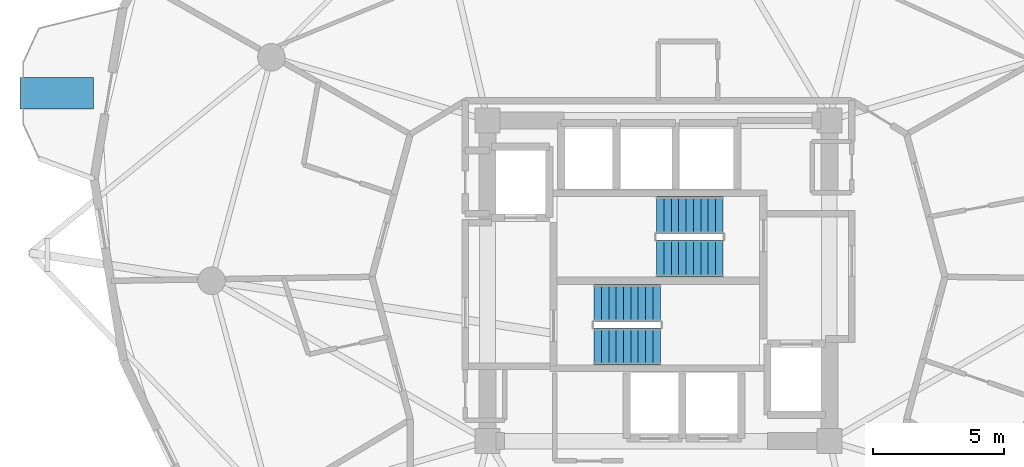
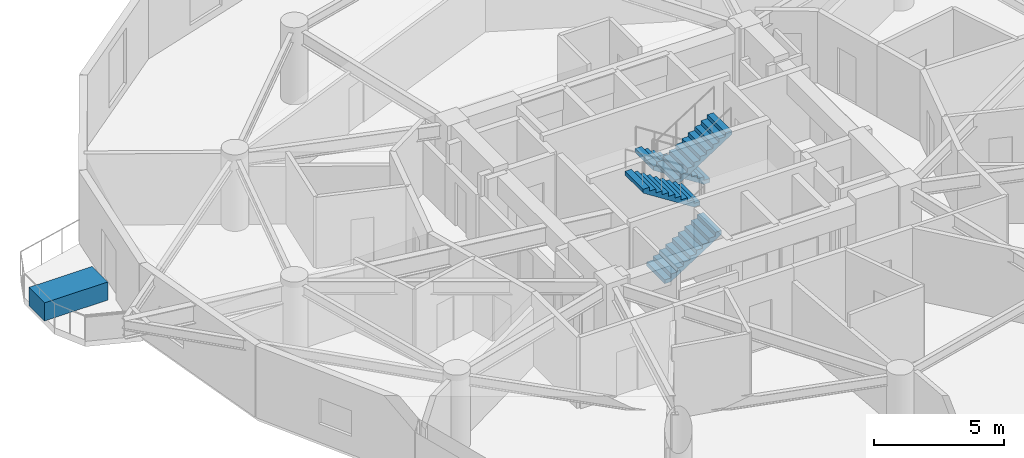
# One storey, part 18 of 20: 4 stair flights, 1 discrete accessory, 2 elements without a shape of their own.
"""IFC4 building model written with IfcOpenShell, lengths in metres."""

from ifc_helpers import new_model, si_unit, direction, frame, origin, origin_2d, place, context, subcontext, project, spatial, polyline, rectangle, outline, extrude, material, type_object, element, aggregate, save


model = new_model("IFC4")

# Units and contexts
model_context = context("Model", 3, precision=1e-05, world=origin(), true_north=direction((0.0, 1.0)))
body_context = subcontext(model_context, "Body", "Model", "MODEL_VIEW")
ifc_project = project(units=[si_unit("LENGTHUNIT", "METRE"), si_unit("AREAUNIT", "SQUARE_METRE"), si_unit("VOLUMEUNIT", "CUBIC_METRE"), si_unit("PLANEANGLEUNIT", "RADIAN"), si_unit("MASSUNIT", "GRAM", prefix="KILO")], contexts=[model_context])

# Site, building, storey
site_placement = place(None, origin())
site = spatial("IfcSite", under=ifc_project, at=site_placement, CompositionType="ELEMENT")
building_placement = place(site_placement, origin())
building = spatial("IfcBuilding", under=site, at=building_placement, Name="Solvirekh Grand Hotel", CompositionType="ELEMENT")
storey_placement = place(building_placement, frame((0.0, 0.0, 135.0)))
storey = spatial("IfcBuildingStorey", under=building, at=storey_placement, Name="L34", CompositionType="ELEMENT", Elevation=135.0)

# Stair, stair flights
ifc_material_1 = material(Name="Concrete C40/50", Category="concrete")
stair_type = type_object("IfcStairType", Name="Stair_Core_1450", PredefinedType="HALF_TURN_STAIR", material=ifc_material_1)
stair_1_placement = place(storey_placement, origin())
stair_1 = element("IfcStair", 1, at=stair_1_placement, inside=storey, type_object=stair_type, Name="L34 Enclosed exit stair ST-1", PredefinedType="HALF_TURN_STAIR")
stair_flight_type = type_object("IfcStairFlightType", Name="Flight_Core_1450", PredefinedType="STRAIGHT", material=ifc_material_1)
stair_flight_1_placement = place(storey_placement, frame((-2.449951171875, -2.5, 0.0), z_axis=(0.0, 0.0, 1.0), x_axis=(1.0, 0.0, 0.0)))
stair_flight_1 = element("IfcStairFlight", 2, at=stair_flight_1_placement, type_object=stair_flight_type, Name="ST-1 flight 1", NumberOfRisers=10, NumberOfTreads=9, PredefinedType="STRAIGHT", RiserHeight=0.18, TreadLength=0.28, context=body_context, shape_type="SweptSolid", body=[
    extrude(outline(polyline([(0.0, 0.0), (0.0, 0.179931640625), (0.280029296875, 0.179931640625), (0.280029296875, 0.360107421875), (0.56005859375, 0.360107421875), (0.56005859375, 0.5400390625), (0.840087890625, 0.5400390625), (0.840087890625, 0.719970703125), (1.1201171875, 0.719970703125), (1.1201171875, 0.89990234375), (1.39990234375, 0.89990234375), (1.39990234375, 1.080078125), (1.679931640625, 1.080078125), (1.679931640625, 1.260009765625), (1.9599609375, 1.260009765625), (1.9599609375, 1.43994140625), (2.239990234375, 1.43994140625), (2.239990234375, 1.6201171875), (2.52001953125, 1.6201171875), (2.52001953125, 1.800048828125), (2.52001953125, 1.44189453125), (0.277099609375, 0.0), (0.0, 0.0)])), frame((0.0, 0.699951171875, 0.0), z_axis=(0.0, -1.0, 0.0), x_axis=(1.0, 0.0, 0.0)), (0.0, 0.0, 1.0), 1.39990234375),
])
stair_flight_2_placement = place(storey_placement, frame((0.070068359375, -0.85009765625, 1.800048828125), z_axis=(0.0, 0.0, 1.0), x_axis=(-1.0, 0.0, 0.0)))
stair_flight_2 = element("IfcStairFlight", 3, at=stair_flight_2_placement, type_object=stair_flight_type, Name="ST-1 flight 2", NumberOfRisers=10, NumberOfTreads=9, PredefinedType="STRAIGHT", RiserHeight=0.18, TreadLength=0.28, context=body_context, shape_type="SweptSolid", body=[
    extrude(outline(polyline([(0.0, 0.0), (0.0, 0.179931640625), (0.280029296875, 0.179931640625), (0.280029296875, 0.360107421875), (0.56005859375, 0.360107421875), (0.56005859375, 0.5400390625), (0.840087890625, 0.5400390625), (0.840087890625, 0.719970703125), (1.1201171875, 0.719970703125), (1.1201171875, 0.89990234375), (1.39990234375, 0.89990234375), (1.39990234375, 1.080078125), (1.679931640625, 1.080078125), (1.679931640625, 1.260009765625), (1.9599609375, 1.260009765625), (1.9599609375, 1.43994140625), (2.239990234375, 1.43994140625), (2.239990234375, 1.6201171875), (2.52001953125, 1.6201171875), (2.52001953125, 1.800048828125), (2.52001953125, 1.44189453125), (0.277099609375, 0.0), (0.0, 0.0)])), frame((0.0, 0.699951171875, 0.0), z_axis=(0.0, -1.0, 0.0), x_axis=(1.0, 0.0, 0.0)), (0.0, 0.0, 1.0), 1.39990234375),
])
aggregate(stair_1, [stair_flight_1, stair_flight_2])

stair_2_placement = place(storey_placement, origin())
stair_2 = element("IfcStair", 4, at=stair_2_placement, inside=storey, type_object=stair_type, Name="L34 Enclosed exit stair ST-2", PredefinedType="HALF_TURN_STAIR")
stair_flight_3_placement = place(storey_placement, frame((2.449951171875, 2.5, 0.0), z_axis=(0.0, 0.0, 1.0), x_axis=(-1.0, 0.0, 0.0)))
stair_flight_3 = element("IfcStairFlight", 5, at=stair_flight_3_placement, type_object=stair_flight_type, Name="ST-2 flight 1", NumberOfRisers=10, NumberOfTreads=9, PredefinedType="STRAIGHT", RiserHeight=0.18, TreadLength=0.28, context=body_context, shape_type="SweptSolid", body=[
    extrude(outline(polyline([(0.0, 0.0), (0.0, 0.179931640625), (0.280029296875, 0.179931640625), (0.280029296875, 0.360107421875), (0.56005859375, 0.360107421875), (0.56005859375, 0.5400390625), (0.840087890625, 0.5400390625), (0.840087890625, 0.719970703125), (1.1201171875, 0.719970703125), (1.1201171875, 0.89990234375), (1.39990234375, 0.89990234375), (1.39990234375, 1.080078125), (1.679931640625, 1.080078125), (1.679931640625, 1.260009765625), (1.9599609375, 1.260009765625), (1.9599609375, 1.43994140625), (2.239990234375, 1.43994140625), (2.239990234375, 1.6201171875), (2.52001953125, 1.6201171875), (2.52001953125, 1.800048828125), (2.52001953125, 1.44189453125), (0.277099609375, 0.0), (0.0, 0.0)])), frame((0.0, 0.699951171875, 0.0), z_axis=(0.0, -1.0, 0.0), x_axis=(1.0, 0.0, 0.0)), (0.0, 0.0, 1.0), 1.39990234375),
])
stair_flight_4_placement = place(storey_placement, frame((-0.070068359375, 0.85009765625, 1.800048828125), z_axis=(0.0, 0.0, 1.0), x_axis=(1.0, 0.0, 0.0)))
stair_flight_4 = element("IfcStairFlight", 6, at=stair_flight_4_placement, type_object=stair_flight_type, Name="ST-2 flight 2", NumberOfRisers=10, NumberOfTreads=9, PredefinedType="STRAIGHT", RiserHeight=0.18, TreadLength=0.28, context=body_context, shape_type="SweptSolid", body=[
    extrude(outline(polyline([(0.0, 0.0), (0.0, 0.179931640625), (0.280029296875, 0.179931640625), (0.280029296875, 0.360107421875), (0.56005859375, 0.360107421875), (0.56005859375, 0.5400390625), (0.840087890625, 0.5400390625), (0.840087890625, 0.719970703125), (1.1201171875, 0.719970703125), (1.1201171875, 0.89990234375), (1.39990234375, 0.89990234375), (1.39990234375, 1.080078125), (1.679931640625, 1.080078125), (1.679931640625, 1.260009765625), (1.9599609375, 1.260009765625), (1.9599609375, 1.43994140625), (2.239990234375, 1.43994140625), (2.239990234375, 1.6201171875), (2.52001953125, 1.6201171875), (2.52001953125, 1.800048828125), (2.52001953125, 1.44189453125), (0.277099609375, 0.0), (0.0, 0.0)])), frame((0.0, 0.699951171875, 0.0), z_axis=(0.0, -1.0, 0.0), x_axis=(1.0, 0.0, 0.0)), (0.0, 0.0, 1.0), 1.39990234375),
])
aggregate(stair_2, [stair_flight_3, stair_flight_4])

# Discrete accessory
ifc_material_2 = material(Name="Precast concrete C45/55", Category="concrete")
discrete_accessory_type = type_object("IfcDiscreteAccessoryType", Name="Acc_PlanterBox", PredefinedType="USERDEFINED", material=ifc_material_2)
discrete_accessory_placement = place(storey_placement, frame((-22.885009765625, 7.133056640625, 0.0), z_axis=(0.0, 0.0, 1.0), x_axis=(0.0, 1.0, 0.0)))
element("IfcDiscreteAccessory", 7, at=discrete_accessory_placement, inside=storey, type_object=discrete_accessory_type, Name="L34 horn sky-garden tree planter", ObjectType="PLANTER", PredefinedType="USERDEFINED", context=body_context, shape_type="SweptSolid", body=[
    extrude(rectangle(XDim=1.199951171875, YDim=2.800048828125, at=origin_2d()), origin(), (0.0, 0.0, 1.0), 0.85009765625),
])

save(model, "model.ifc")
